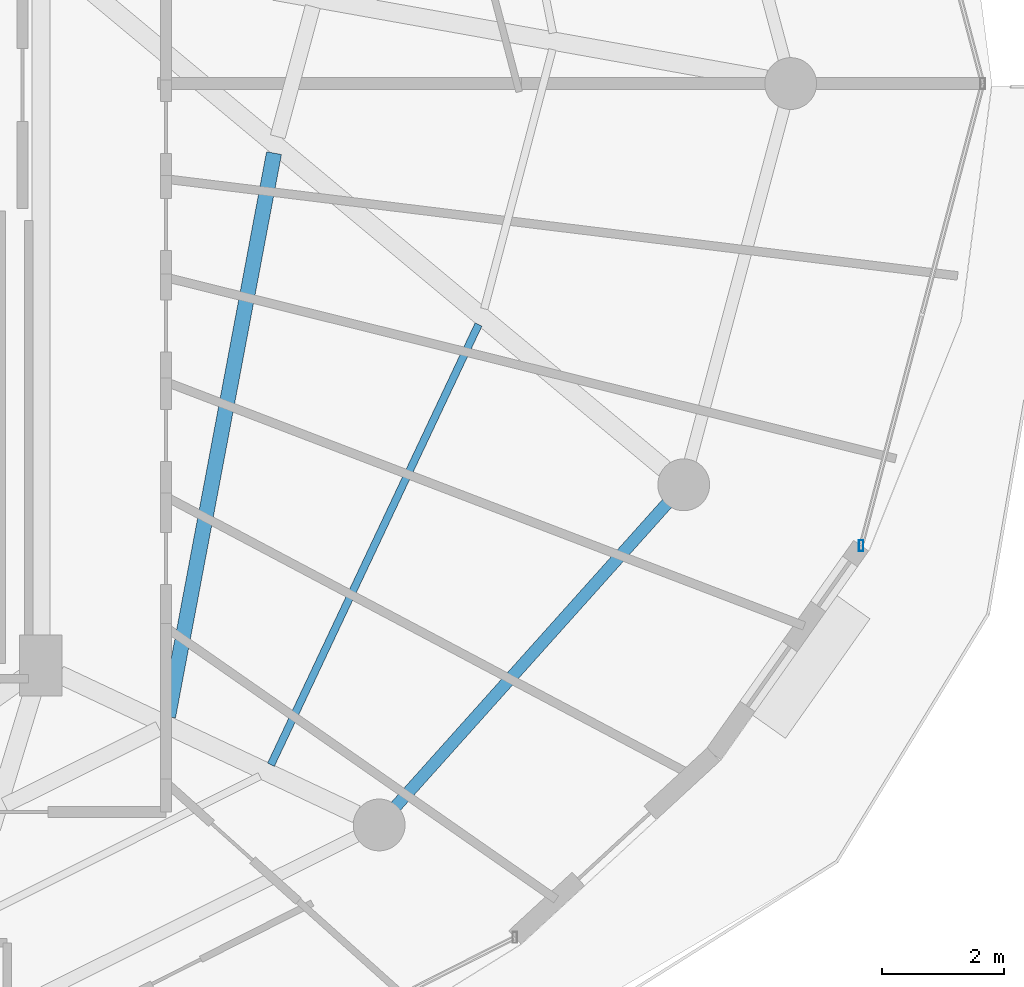
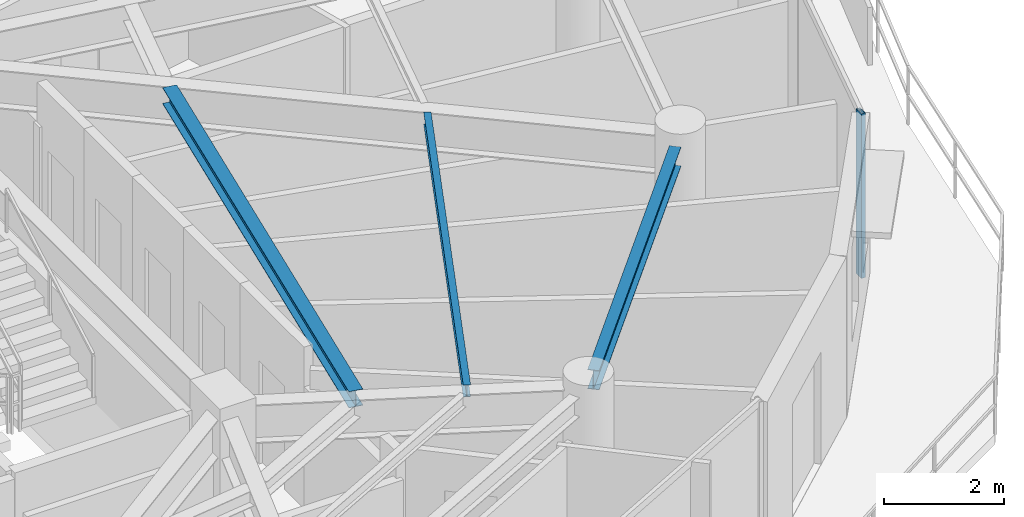
# One storey, part 12 of 29: 3 beams, 1 member, 1 element without a shape of its own.
"""IFC4 building model written with IfcOpenShell, lengths in metres."""

from ifc_helpers import new_model, si_unit, direction, frame, origin, origin_2d, place, context, subcontext, project, spatial, hollow_rectangle, i_section, extrude, material, material_profile, profile_set, type_object, element, aggregate, save


model = new_model("IFC4")

# Units and contexts
model_context = context("Model", 3, precision=1e-05, world=origin(), true_north=direction((0.0, 1.0)))
body_context = subcontext(model_context, "Body", "Model", "MODEL_VIEW")
ifc_project = project(units=[si_unit("LENGTHUNIT", "METRE"), si_unit("AREAUNIT", "SQUARE_METRE"), si_unit("VOLUMEUNIT", "CUBIC_METRE"), si_unit("PLANEANGLEUNIT", "RADIAN"), si_unit("MASSUNIT", "GRAM", prefix="KILO")], contexts=[model_context])

# Site, building, storey
site_placement = place(None, origin())
site = spatial("IfcSite", under=ifc_project, at=site_placement, CompositionType="ELEMENT")
building_placement = place(site_placement, origin())
building = spatial("IfcBuilding", under=site, at=building_placement, Name="Vorneva Point Tower", CompositionType="ELEMENT")
storey_placement = place(building_placement, frame((0.0, 0.0, 259.10009765625)))
storey = spatial("IfcBuildingStorey", under=building, at=storey_placement, Name="L70", CompositionType="ELEMENT", Elevation=259.10009765625)

# Beams
ifc_material_1 = material(Name="Steel S355", Category="steel")
ifc_material_profile_1 = material_profile(ifc_material_1, i_section(OverallWidth=0.1240234375, OverallDepth=0.248046875, WebThickness=0.0048828125, FlangeThickness=0.008056640625, at=origin_2d()), Name="25B1")
ifc_profile_set_1 = profile_set([ifc_material_profile_1], Name="Steel S355")
beam_type_1 = type_object("IfcBeamType", Name="BM-JST-25B1", PredefinedType="JOIST", material=ifc_profile_set_1)
beam_1_placement = place(storey_placement, frame((52.523681640625, 14.825927734375, 3.166015625), z_axis=(0.426534668543, 0.904471213766, 0.0), x_axis=(-0.904471213766, 0.426534668543, 0.0)))
element("IfcBeam", 1, at=beam_1_placement, inside=storey, type_object=beam_type_1, Name="L70 Secondary Floor Beam 1.15", PredefinedType="JOIST", context=body_context, shape_type="SweptSolid", body=[
    extrude(i_section(OverallWidth=0.1240234375, OverallDepth=0.248046875, WebThickness=0.0048828125, FlangeThickness=0.008056640625, at=origin_2d()), origin(), (0.0, 0.0, 1.0), 7.984130859375),
])
ifc_material_profile_2 = material_profile(ifc_material_1, i_section(OverallWidth=0.2490234375, OverallDepth=0.333984375, WebThickness=0.008056640625, FlangeThickness=0.010986328125, at=origin_2d()), Name="35Sh1")
ifc_profile_set_2 = profile_set([ifc_material_profile_2], Name="Steel S355")
beam_type_2 = type_object("IfcBeamType", Name="BM-SEC-35Sh1", PredefinedType="BEAM", material=ifc_profile_set_2)
beam_2_placement = place(storey_placement, frame((50.83544921875, 15.615966796875, 3.122802734375), z_axis=(0.184830813221, 0.982770354907, 0.0), x_axis=(-0.982770354907, 0.184830813221, 0.0)))
element("IfcBeam", 2, at=beam_2_placement, inside=storey, type_object=beam_type_2, Name="L70 Secondary Floor Beam 2.15", PredefinedType="BEAM", context=body_context, shape_type="SweptSolid", body=[
    extrude(i_section(OverallWidth=0.2490234375, OverallDepth=0.333984375, WebThickness=0.008056640625, FlangeThickness=0.010986328125, at=origin_2d()), origin(), (0.0, 0.0, 1.0), 9.40478515625),
])
ifc_material_profile_3 = material_profile(ifc_material_1, i_section(OverallWidth=0.198974609375, OverallDepth=0.39599609375, WebThickness=0.007080078125, FlangeThickness=0.010986328125, at=origin_2d()), Name="40B1")
ifc_profile_set_3 = profile_set([ifc_material_profile_3], Name="Steel S355")
beam_type_3 = type_object("IfcBeamType", Name="BM-SPN-40B1", PredefinedType="SPANDREL", material=ifc_profile_set_3)
beam_3_placement = place(storey_placement, frame((54.572265625, 14.143310546875, 3.091796875), z_axis=(0.667108282638, 0.744960763554, 0.0), x_axis=(-0.744960763554, 0.667108282638, 0.0)))
element("IfcBeam", 3, at=beam_3_placement, inside=storey, type_object=beam_type_3, Name="L70 Perimeter Spandrel Ring Beam 15", PredefinedType="SPANDREL", context=body_context, shape_type="SweptSolid", body=[
    extrude(i_section(OverallWidth=0.198974609375, OverallDepth=0.39599609375, WebThickness=0.007080078125, FlangeThickness=0.010986328125, at=origin_2d()), origin(), (0.0, 0.0, 1.0), 6.670166015625),
])

# Curtain wall, member
ifc_material_2 = material(Name="Pale anodised aluminium", Category="aluminium")
curtain_wall_type = type_object("IfcCurtainWallType", Name="CW-RES-SYS", PredefinedType="NOTDEFINED", material=ifc_material_2)
curtain_wall_placement = place(storey_placement, origin())
curtain_wall = element("IfcCurtainWall", 4, at=curtain_wall_placement, inside=storey, type_object=curtain_wall_type, Name="L70 Unitised Curtain Wall CW-L70-R01", PredefinedType="NOTDEFINED")
ifc_material_profile_4 = material_profile(ifc_material_2, hollow_rectangle(XDim=0.074951171875, YDim=0.179931640625, WallThickness=0.00390625, at=origin_2d()), Name="AL-MUL 180x75x4")
ifc_profile_set_4 = profile_set([ifc_material_profile_4], Name="Pale anodised aluminium")
member_type = type_object("IfcMemberType", Name="CW-MUL-180", PredefinedType="MULLION", material=ifc_profile_set_4)
member_placement = place(storey_placement, frame((62.20556640625, 18.4189453125, -0.0400390625), z_axis=(0.0, 0.0, 1.0), x_axis=(1.0, 0.0, 0.0)))
member = element("IfcMember", 5, at=member_placement, type_object=member_type, Name="CW-L70-R01 Mullion 01", PredefinedType="MULLION", context=body_context, shape_type="SweptSolid", body=[
    extrude(hollow_rectangle(XDim=0.074951171875, YDim=0.179931640625, WallThickness=0.00390625, at=origin_2d()), origin(), (0.0, 0.0, 1.0), 3.35986328125),
])
aggregate(curtain_wall, [member])

save(model, "model.ifc")
